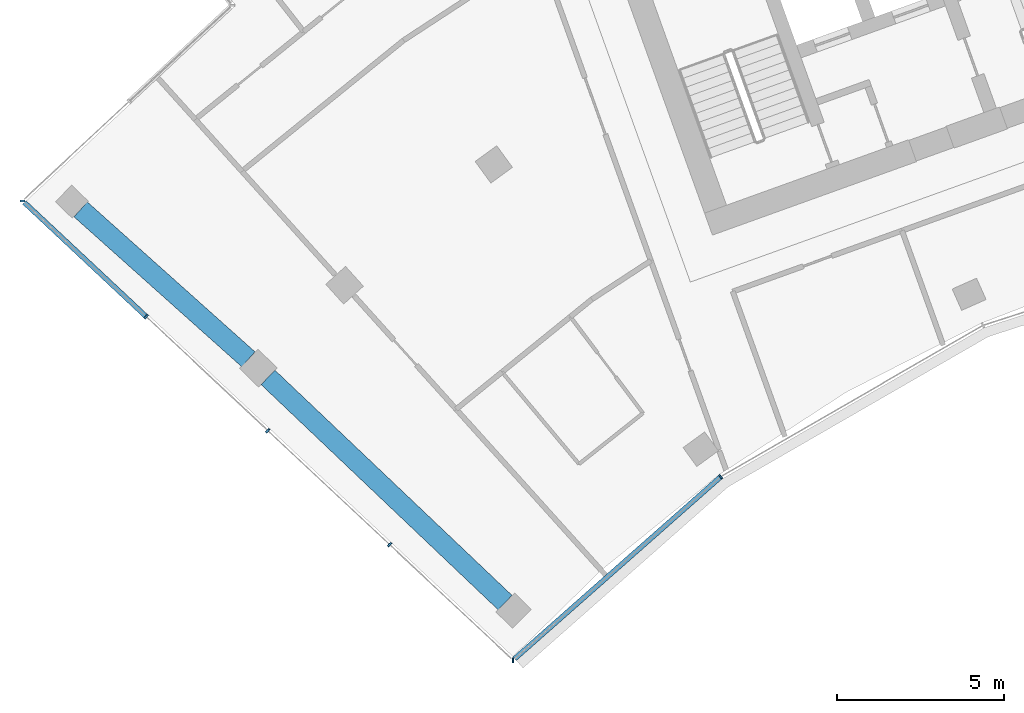
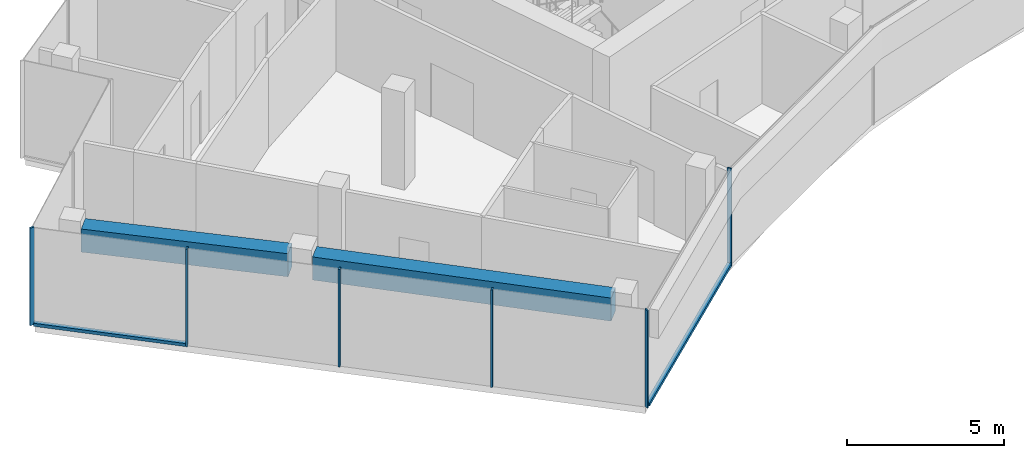
# One storey, part 2 of 18: 8 members, 2 beams, 2 elements without a shape of their own.
"""IFC4 building model written with IfcOpenShell, lengths in metres."""

from ifc_helpers import new_model, si_unit, direction, frame, origin, origin_2d, place, context, subcontext, project, spatial, rectangle, extrude, material, layer, layer_set, material_profile, profile_set, type_object, element, aggregate, save


model = new_model("IFC4")

# Units and contexts
model_context = context("Model", 3, precision=1e-05, world=origin(), true_north=direction((0.0, 1.0)))
body_context = subcontext(model_context, "Body", "Model", "MODEL_VIEW")
ifc_project = project(units=[si_unit("LENGTHUNIT", "METRE"), si_unit("AREAUNIT", "SQUARE_METRE"), si_unit("VOLUMEUNIT", "CUBIC_METRE"), si_unit("PLANEANGLEUNIT", "RADIAN"), si_unit("MASSUNIT", "GRAM", prefix="KILO")], contexts=[model_context])

# Site, building, storey
site_placement = place(None, origin())
site = spatial("IfcSite", under=ifc_project, at=site_placement, CompositionType="ELEMENT")
building_placement = place(site_placement, origin())
building = spatial("IfcBuilding", under=site, at=building_placement, Name="Stone Belt Terrace Tower", CompositionType="ELEMENT")
storey_placement = place(building_placement, frame((0.0, 0.0, 261.800048828125)))
storey = spatial("IfcBuildingStorey", under=building, at=storey_placement, Name="L63", CompositionType="ELEMENT", Elevation=261.800048828125)

# Curtain wall, members
ifc_material_1 = material(Name="Aluminium 6063-T6 anodised frame", Category="aluminium")
ifc_layer_1 = layer(ifc_material_1, 0.14990234375)
ifc_layer_set_1 = layer_set([ifc_layer_1], Name="CW-B unitised concave-face curtain wall")
curtain_wall_type_1 = type_object("IfcCurtainWallType", Name="CW-B unitised concave-face curtain wall", PredefinedType="NOTDEFINED", material=ifc_layer_set_1)
curtain_wall_1_placement = place(storey_placement, origin())
curtain_wall_1 = element("IfcCurtainWall", 1, at=curtain_wall_1_placement, inside=storey, type_object=curtain_wall_type_1, Name="CW-B concave face L63", PredefinedType="NOTDEFINED")
ifc_material_profile_1 = material_profile(ifc_material_1, rectangle(XDim=0.14990234375, YDim=0.050048828125, at=origin_2d()), Name="Aluminium 6063-T6 50x150")
ifc_profile_set_1 = profile_set([ifc_material_profile_1], Name="Aluminium 6063-T6 anodised frame")
member_type_1 = type_object("IfcMemberType", Name="CW-B mullion 50 x 150", PredefinedType="MULLION", material=ifc_profile_set_1)
member_1_placement = place(storey_placement, frame((-31.75244140625, 29.633056640625, 0.0), z_axis=(0.0, 0.0, 1.0), x_axis=(0.014681639593, 0.999892218921, 0.0)))
member_1 = element("IfcMember", 2, at=member_1_placement, type_object=member_type_1, Name="CW-B mullion 1", PredefinedType="MULLION", context=body_context, shape_type="SweptSolid", body=[
    extrude(rectangle(XDim=0.14990234375, YDim=0.050048828125, at=origin_2d()), origin(), (0.0, 0.0, 1.0), 3.800048828125),
])
member_2_placement = place(storey_placement, frame((-25.524658203125, 35.131103515625, 0.0), z_axis=(0.0, 0.0, 1.0), x_axis=(-0.583818854632, 0.811883947973, 0.0)))
member_2 = element("IfcMember", 3, at=member_2_placement, type_object=member_type_1, Name="CW-B mullion 2", PredefinedType="MULLION", context=body_context, shape_type="SweptSolid", body=[
    extrude(rectangle(XDim=0.14990234375, YDim=0.050048828125, at=origin_2d()), origin(), (0.0, 0.0, 1.0), 3.800048828125),
])
ifc_material_profile_2 = material_profile(ifc_material_1, rectangle(XDim=0.14990234375, YDim=0.1201171875, at=origin_2d()), Name="Aluminium 6063-T6 150x120")
ifc_profile_set_2 = profile_set([ifc_material_profile_2], Name="Aluminium 6063-T6 anodised frame")
member_type_2 = type_object("IfcMemberType", Name="CW-B transom 120 x 150", PredefinedType="USERDEFINED", material=ifc_profile_set_2)
member_3_placement = place(storey_placement, frame((-31.70068359375, 29.6787109375, 0.06005859375), z_axis=(0.749668527307, 0.661813492735, 0.0), x_axis=(-0.661813492735, 0.749668527307, 0.0)))
member_3 = element("IfcMember", 4, at=member_3_placement, type_object=member_type_2, Name="CW-B transom 1.1", ObjectType="TRANSOM", PredefinedType="USERDEFINED", context=body_context, shape_type="SweptSolid", body=[
    extrude(rectangle(XDim=0.14990234375, YDim=0.1201171875, at=origin_2d()), origin(), (0.0, 0.0, 1.0), 8.2060546875),
])
aggregate(curtain_wall_1, [member_1, member_2, member_3])

ifc_layer_2 = layer(ifc_material_1, 0.14990234375)
ifc_layer_set_2 = layer_set([ifc_layer_2], Name="CW-C stick curtain wall, horn ends and notches")
curtain_wall_type_2 = type_object("IfcCurtainWallType", Name="CW-C stick curtain wall, horn ends and notches", PredefinedType="NOTDEFINED", material=ifc_layer_set_2)
curtain_wall_2_placement = place(storey_placement, origin())
curtain_wall_2 = element("IfcCurtainWall", 5, at=curtain_wall_2_placement, inside=storey, type_object=curtain_wall_type_2, Name="CW-C end face L63", PredefinedType="NOTDEFINED")
ifc_material_profile_3 = material_profile(ifc_material_1, rectangle(XDim=0.14990234375, YDim=0.06005859375, at=origin_2d()), Name="Aluminium 6063-T6 60x150")
ifc_profile_set_3 = profile_set([ifc_material_profile_3], Name="Aluminium 6063-T6 anodised frame")
member_type_3 = type_object("IfcMemberType", Name="CW-C mullion 60 x 150", PredefinedType="MULLION", material=ifc_profile_set_3)
member_4_placement = place(storey_placement, frame((-46.458740234375, 43.405517578125, 0.0), z_axis=(0.0, 0.0, 1.0), x_axis=(0.999999447771, -0.00105093149, 0.0)))
member_4 = element("IfcMember", 6, at=member_4_placement, type_object=member_type_3, Name="CW-C mullion 1", PredefinedType="MULLION", context=body_context, shape_type="SweptSolid", body=[
    extrude(rectangle(XDim=0.14990234375, YDim=0.06005859375, at=origin_2d()), origin(), (0.0, 0.0, 1.0), 3.800048828125),
])
member_5_placement = place(storey_placement, frame((-42.750732421875, 39.932861328125, 0.0), z_axis=(0.0, 0.0, 1.0), x_axis=(0.683549434973, 0.729904219708, 0.0)))
member_5 = element("IfcMember", 7, at=member_5_placement, type_object=member_type_3, Name="CW-C mullion 2", PredefinedType="MULLION", context=body_context, shape_type="SweptSolid", body=[
    extrude(rectangle(XDim=0.14990234375, YDim=0.06005859375, at=origin_2d()), origin(), (0.0, 0.0, 1.0), 3.800048828125),
])
member_6_placement = place(storey_placement, frame((-39.10107421875, 36.51513671875, 0.0), z_axis=(0.0, 0.0, 1.0), x_axis=(0.683549434973, 0.729904219708, 0.0)))
member_6 = element("IfcMember", 8, at=member_6_placement, type_object=member_type_3, Name="CW-C mullion 3", PredefinedType="MULLION", context=body_context, shape_type="SweptSolid", body=[
    extrude(rectangle(XDim=0.14990234375, YDim=0.06005859375, at=origin_2d()), origin(), (0.0, 0.0, 1.0), 3.800048828125),
])
member_7_placement = place(storey_placement, frame((-35.45166015625, 33.097412109375, 0.0), z_axis=(0.0, 0.0, 1.0), x_axis=(0.683549434973, 0.729904219708, 0.0)))
member_7 = element("IfcMember", 9, at=member_7_placement, type_object=member_type_3, Name="CW-C mullion 4", PredefinedType="MULLION", context=body_context, shape_type="SweptSolid", body=[
    extrude(rectangle(XDim=0.14990234375, YDim=0.06005859375, at=origin_2d()), origin(), (0.0, 0.0, 1.0), 3.800048828125),
])
ifc_material_profile_4 = material_profile(ifc_material_1, rectangle(XDim=0.14990234375, YDim=0.1201171875, at=origin_2d()), Name="Aluminium 6063-T6 150x120")
ifc_profile_set_4 = profile_set([ifc_material_profile_4], Name="Aluminium 6063-T6 anodised frame")
member_type_4 = type_object("IfcMemberType", Name="CW-C transom 120 x 150", PredefinedType="USERDEFINED", material=ifc_profile_set_4)
member_8_placement = place(storey_placement, frame((-46.40380859375, 43.35400390625, 0.06005859375), z_axis=(0.729913558916, -0.683539462292, 0.0), x_axis=(0.683539462292, 0.729913558916, 0.0)))
member_8 = element("IfcMember", 10, at=member_8_placement, type_object=member_type_4, Name="CW-C transom 1.1", ObjectType="TRANSOM", PredefinedType="USERDEFINED", context=body_context, shape_type="SweptSolid", body=[
    extrude(rectangle(XDim=0.14990234375, YDim=0.1201171875, at=origin_2d()), origin(), (0.0, 0.0, 1.0), 4.97509765625),
])
aggregate(curtain_wall_2, [member_4, member_5, member_6, member_7, member_8])

# Beams
ifc_material_2 = material(Name="Concrete B60", Category="concrete")
ifc_material_profile_5 = material_profile(ifc_material_2, rectangle(XDim=0.60009765625, YDim=0.89990234375, at=origin_2d()), Name="RC 600x900")
ifc_profile_set_5 = profile_set([ifc_material_profile_5], Name="Concrete B60")
beam_type = type_object("IfcBeamType", Name="Edge beam RC 600x900 B60", PredefinedType="SPANDREL", material=ifc_profile_set_5)
beam_1_placement = place(storey_placement, frame((-31.98876953125, 31.35791015625, 3.030029296875), z_axis=(-0.72502367576, 0.688723942946, 0.0), x_axis=(-0.688723942946, -0.72502367576, 0.0)))
element("IfcBeam", 11, at=beam_1_placement, inside=storey, type_object=beam_type, Name="Edge beam L63 A P to Q", PredefinedType="SPANDREL", context=body_context, shape_type="SweptSolid", body=[
    extrude(rectangle(XDim=0.60009765625, YDim=0.89990234375, at=origin_2d()), origin(), (0.0, 0.0, 1.0), 9.80615234375),
])
beam_2_placement = place(storey_placement, frame((-39.68701171875, 38.65380859375, 3.030029296875), z_axis=(-0.745651125692, 0.666336550666, 0.0), x_axis=(-0.666336550666, -0.745651125692, 0.0)))
element("IfcBeam", 12, at=beam_2_placement, inside=storey, type_object=beam_type, Name="Edge beam L63 A Q to R", PredefinedType="SPANDREL", context=body_context, shape_type="SweptSolid", body=[
    extrude(rectangle(XDim=0.60009765625, YDim=0.89990234375, at=origin_2d()), origin(), (0.0, 0.0, 1.0), 6.744140625),
])

save(model, "model.ifc")
